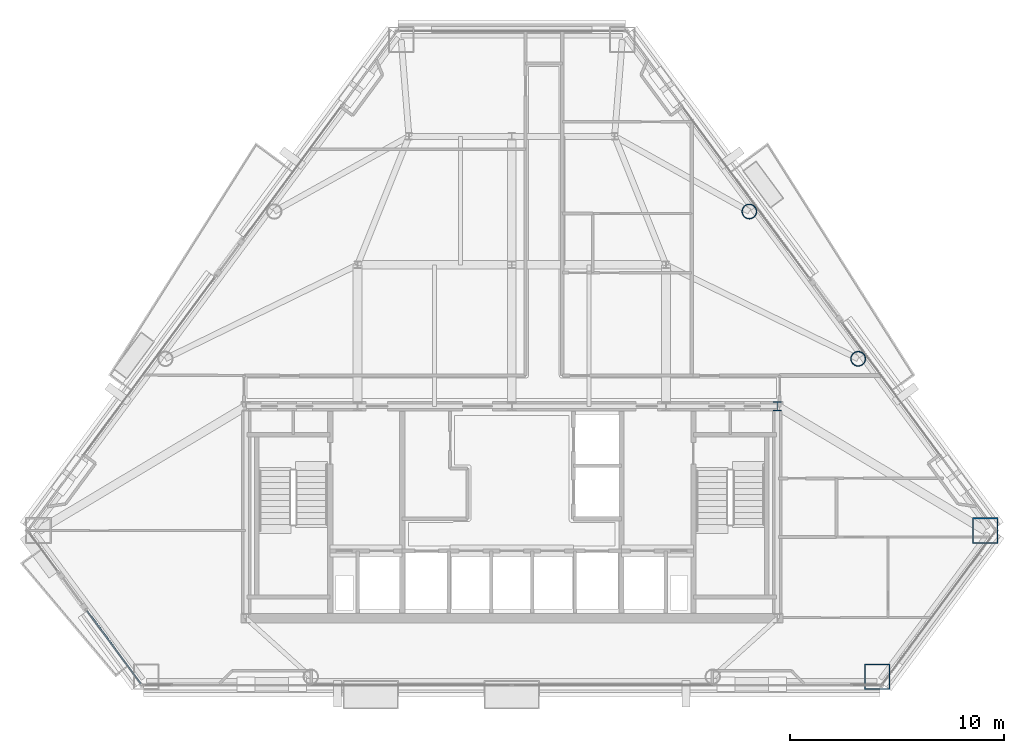
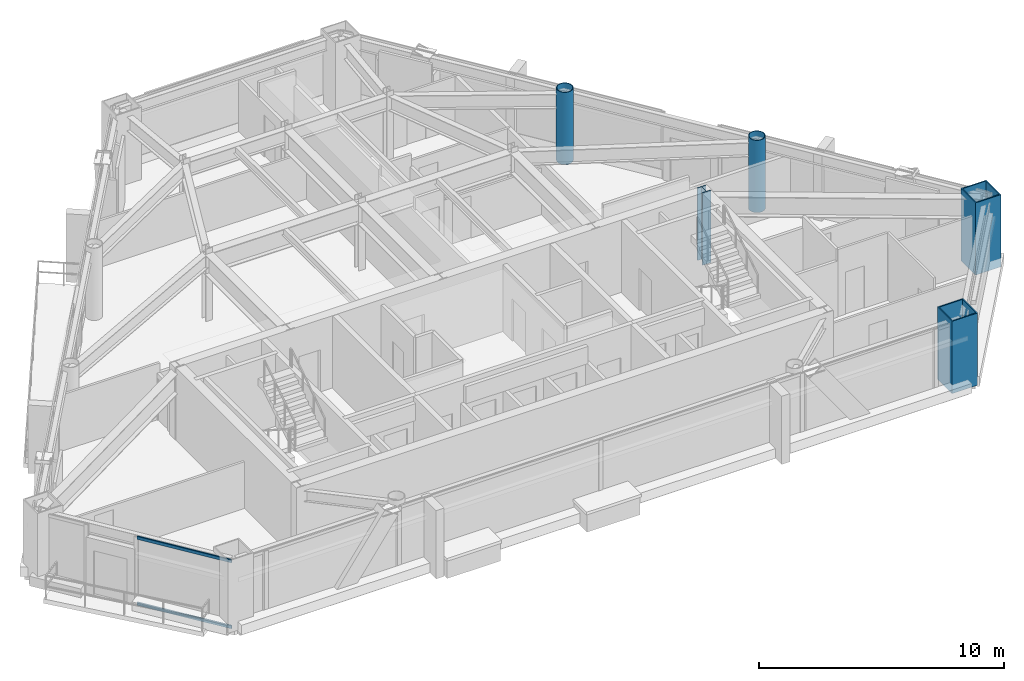
# One storey, part 2 of 11: 5 columns, 2 members, 1 element without a shape of its own.
"""IFC4 building model written with IfcOpenShell, lengths in metres."""

from ifc_helpers import new_model, si_unit, direction, frame, origin, origin_2d, place, context, subcontext, project, spatial, rectangle, hollow_rectangle, hollow_circle, i_section, extrude, material, layer, layer_set, material_profile, profile_set, type_object, element, aggregate, save


model = new_model("IFC4")

# Units and contexts
model_context = context("Model", 3, precision=1e-05, world=origin(), true_north=direction((0.0, 1.0)))
body_context = subcontext(model_context, "Body", "Model", "MODEL_VIEW")
ifc_project = project(units=[si_unit("LENGTHUNIT", "METRE"), si_unit("AREAUNIT", "SQUARE_METRE"), si_unit("VOLUMEUNIT", "CUBIC_METRE"), si_unit("PLANEANGLEUNIT", "RADIAN"), si_unit("MASSUNIT", "GRAM", prefix="KILO")], contexts=[model_context])

# Site, building, storey
site_placement = place(None, origin())
site = spatial("IfcSite", under=ifc_project, at=site_placement, CompositionType="ELEMENT")
building_placement = place(site_placement, origin())
building = spatial("IfcBuilding", under=site, at=building_placement, Name="Talgorran Terracotta Tower", CompositionType="ELEMENT")
storey_placement = place(building_placement, frame((0.0, 0.0, 136.5)))
storey = spatial("IfcBuildingStorey", under=building, at=storey_placement, Name="L35", CompositionType="ELEMENT", Elevation=136.5)

# Columns
ifc_material_1 = material(Name="Steel S355 (300PLUS)", Category="steel")
ifc_material_profile_1 = material_profile(ifc_material_1, i_section(OverallWidth=0.39990234375, OverallDepth=0.43994140625, WebThickness=0.028076171875, FlangeThickness=0.0400390625, at=origin_2d()), Name="400WC328")
ifc_profile_set_1 = profile_set([ifc_material_profile_1], Name="Steel S355 (300PLUS)")
column_type_1 = type_object("IfcColumnType", Name="COL_400WC328", PredefinedType="COLUMN", material=ifc_profile_set_1)
column_placement = place(storey_placement, frame((12.39990234375, -4.199951171875, 0.0), z_axis=(0.0, 0.0, 1.0), x_axis=(1.0, 0.0, 0.0)))
element("IfcColumn", 1, at=column_placement, inside=storey, type_object=column_type_1, Name="L35 Core Boundary Column CC3", PredefinedType="COLUMN", context=body_context, shape_type="SweptSolid", body=[
    extrude(i_section(OverallWidth=0.39990234375, OverallDepth=0.43994140625, WebThickness=0.028076171875, FlangeThickness=0.0400390625, at=origin_2d()), origin(), (0.0, 0.0, 1.0), 3.60009765625),
])
ifc_material_2 = material(Name="Steel Grade 350 (350L0)", Category="steel")
ifc_material_profile_2 = material_profile(ifc_material_2, hollow_rectangle(XDim=1.199951171875, YDim=1.199951171875, WallThickness=0.054931640625, at=origin_2d()), Name="CFT1200X1200X55")
ifc_profile_set_2 = profile_set([ifc_material_profile_2], Name="Steel Grade 350 (350L0)")
column_type_2 = type_object("IfcColumnType", Name="COL_CFT_1200", PredefinedType="COLUMN", material=ifc_profile_set_2)
for number, where, z_axis, x_axis, name in (
    (2, (17.056884765625, -16.81884765625, 0.0), (0.0, 0.0, 1.0), (1.0, 0.0, 0.0), "L35 Corner CFT Mega-Column MC3"),
    (3, (22.09619140625, -10.000244140625, 0.0), (0.0, 0.0, 1.0), (1.0, 0.0, 0.0), "L35 Corner CFT Mega-Column MC4"),
):
    element("IfcColumn", number, at=place(storey_placement, frame(where, z_axis=z_axis, x_axis=x_axis)), inside=storey, type_object=column_type_2, Name=name, PredefinedType="COLUMN", context=body_context, shape_type="SweptSolid", body=[
        extrude(hollow_rectangle(XDim=1.199951171875, YDim=1.199951171875, WallThickness=0.054931640625, at=origin_2d()), origin(), (0.0, 0.0, 1.0), 3.60009765625),
    ])
ifc_material_profile_3 = material_profile(ifc_material_2, hollow_circle(Radius=0.35009765625, WallThickness=0.030029296875, at=origin_2d()), Name="CHS700X30")
ifc_profile_set_3 = profile_set([ifc_material_profile_3], Name="Steel Grade 350 (350L0)")
column_type_3 = type_object("IfcColumnType", Name="COL_CHS_700", PredefinedType="COLUMN", material=ifc_profile_set_3)
for number, where, z_axis, x_axis, name in (
    (4, (16.169189453125, -1.98046875, 0.0), (0.0, 0.0, 1.0), (1.0, 0.0, 0.0), "L35 Facet Perimeter Column FC3"),
    (5, (11.088623046875, 4.893798828125, 0.0), (0.0, 0.0, 1.0), (1.0, 0.0, 0.0), "L35 Facet Perimeter Column FC4"),
):
    element("IfcColumn", number, at=place(storey_placement, frame(where, z_axis=z_axis, x_axis=x_axis)), inside=storey, type_object=column_type_3, Name=name, PredefinedType="COLUMN", context=body_context, shape_type="SweptSolid", body=[
        extrude(hollow_circle(Radius=0.35009765625, WallThickness=0.030029296875, at=origin_2d()), origin(), (0.0, 0.0, 1.0), 3.60009765625),
    ])

# Curtain wall, members
ifc_material_3 = material(Name="Unitised Low-E Double Glazing", Category="glass")
ifc_layer = layer(ifc_material_3, 0.199951171875, Name="CW_SYS2_RES_LOW")
ifc_layer_set = layer_set([ifc_layer], Name="Unitised Low-E Double Glazing")
curtain_wall_type = type_object("IfcCurtainWallType", Name="CW_SYS2_RES_LOW", PredefinedType="NOTDEFINED", material=ifc_layer_set)
curtain_wall_placement = place(storey_placement, origin())
curtain_wall = element("IfcCurtainWall", 6, at=curtain_wall_placement, inside=storey, type_object=curtain_wall_type, Name="CW-L35-F11", PredefinedType="NOTDEFINED")
ifc_material_4 = material(Name="Architectural Aluminium 6063-T6", Category="aluminium")
ifc_material_profile_4 = material_profile(ifc_material_4, rectangle(XDim=0.06494140625, YDim=0.14990234375, at=origin_2d()), Name="CWT65X150")
ifc_profile_set_4 = profile_set([ifc_material_profile_4], Name="Architectural Aluminium 6063-T6")
member_type = type_object("IfcMemberType", Name="TRN_65X150", PredefinedType="USERDEFINED", material=ifc_profile_set_4)
member_1_placement = place(storey_placement, frame((-19.821533203125, -13.751220703125, 0.032470703125), z_axis=(0.594358426754, -0.804200261469, 0.0), x_axis=(0.804200261469, 0.594358426754, 0.0)))
member_1 = element("IfcMember", 7, at=member_1_placement, type_object=member_type, Name="CW-L35-11 transom 1.1", ObjectType="TRANSOM", PredefinedType="USERDEFINED", context=body_context, shape_type="SweptSolid", body=[
    extrude(rectangle(XDim=0.06494140625, YDim=0.14990234375, at=origin_2d()), origin(), (0.0, 0.0, 1.0), 4.20703125),
])
member_2_placement = place(storey_placement, frame((-19.821533203125, -13.751220703125, 3.3173828125), z_axis=(0.594358426754, -0.804200261469, 0.0), x_axis=(0.804200261469, 0.594358426754, 0.0)))
member_2 = element("IfcMember", 8, at=member_2_placement, type_object=member_type, Name="CW-L35-11 transom 1.2", ObjectType="TRANSOM", PredefinedType="USERDEFINED", context=body_context, shape_type="SweptSolid", body=[
    extrude(rectangle(XDim=0.06494140625, YDim=0.14990234375, at=origin_2d()), origin(), (0.0, 0.0, 1.0), 4.20703125),
])
aggregate(curtain_wall, [member_1, member_2])

save(model, "model.ifc")
